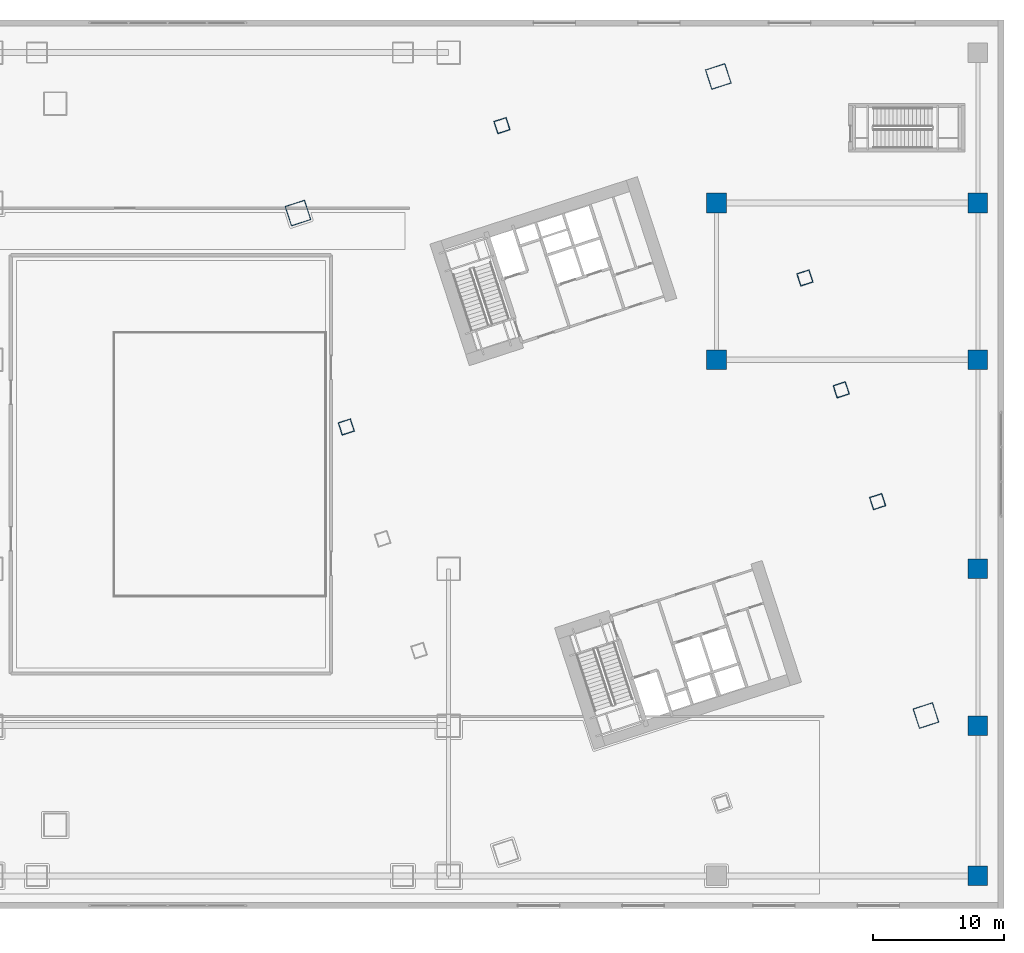
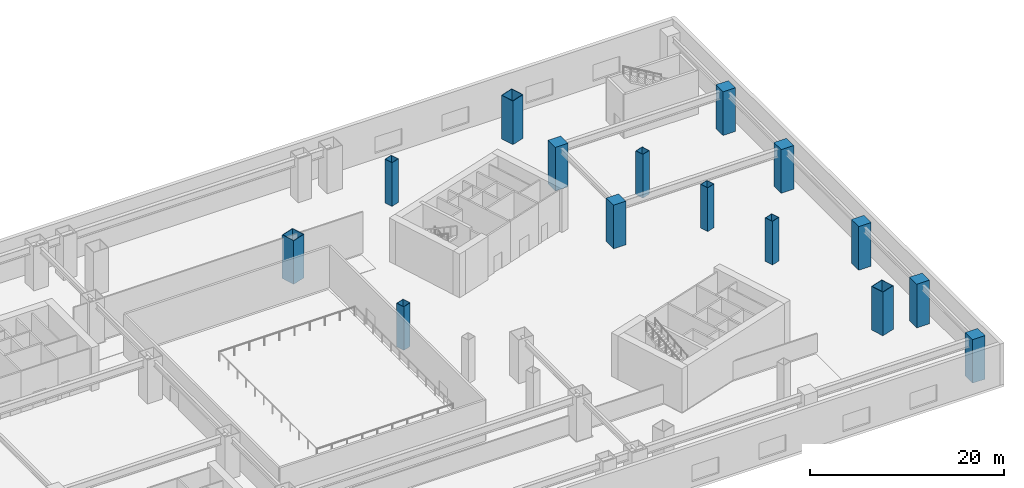
# One storey, part 2 of 35: 15 columns.
"""IFC4 building model written with IfcOpenShell, lengths in metres."""

from ifc_helpers import new_model, si_unit, direction, frame, origin, origin_2d, place, context, subcontext, project, spatial, rectangle, hollow_rectangle, extrude, material, material_profile, profile_set, type_object, element, save


model = new_model("IFC4")

# Units and contexts
model_context = context("Model", 3, precision=1e-05, world=origin(), true_north=direction((0.0, 1.0)))
body_context = subcontext(model_context, "Body", "Model", "MODEL_VIEW")
ifc_project = project(units=[si_unit("LENGTHUNIT", "METRE"), si_unit("AREAUNIT", "SQUARE_METRE"), si_unit("VOLUMEUNIT", "CUBIC_METRE"), si_unit("PLANEANGLEUNIT", "RADIAN"), si_unit("MASSUNIT", "GRAM", prefix="KILO")], contexts=[model_context])

# Site, building, storey
site_placement = place(None, origin())
site = spatial("IfcSite", under=ifc_project, at=site_placement, CompositionType="ELEMENT")
building_placement = place(site_placement, origin())
building = spatial("IfcBuilding", under=site, at=building_placement, Name="Qiaolan Cultural Towers", CompositionType="ELEMENT")
storey_placement = place(building_placement, frame((0.0, 0.0, 6.0)))
storey = spatial("IfcBuildingStorey", under=building, at=storey_placement, Name="L01", CompositionType="ELEMENT", Elevation=6.0)

# Columns
ifc_material_1 = material(Name="Steel Q355B", Category="steel")
ifc_material_profile_1 = material_profile(ifc_material_1, hollow_rectangle(XDim=1.0, YDim=1.0, WallThickness=0.035888671875, at=origin_2d()), Name="BOX1000x1000x36")
ifc_profile_set_1 = profile_set([ifc_material_profile_1], Name="Steel Q355B")
column_type_1 = type_object("IfcColumnType", Name="COL-BOX1000x1000x36", PredefinedType="COLUMN", material=ifc_profile_set_1)
for number, where, z_axis, x_axis, name in (
    (1, (69.671875, 36.858154296875, 0.0), (0.0, 0.0, 1.0), (0.951056516295, 0.309016994375, 0.0), "L01 T2 Column PC-W3"),
    (2, (110.328125, 31.141845703125, 0.0), (0.0, 0.0, 1.0), (0.951056516295, 0.309016994375, 0.0), "L01 T2 Column PC-E1"),
    (3, (107.546875, 39.701416015625, 0.0), (0.0, 0.0, 1.0), (0.951056516295, 0.309016994375, 0.0), "L01 T2 Column PC-E2"),
    (4, (104.765869140625, 48.260986328125, 0.0), (0.0, 0.0, 1.0), (0.951056516295, 0.309016994375, 0.0), "L01 T2 Column PC-E3"),
    (5, (81.579345703125, 59.916259765625, 0.0), (0.0, 0.0, 1.0), (0.951056516295, 0.309016994375, 0.0), "L01 T2 Column PC-N0"),
):
    element("IfcColumn", number, at=place(storey_placement, frame(where, z_axis=z_axis, x_axis=x_axis)), inside=storey, type_object=column_type_1, Name=name, PredefinedType="COLUMN", context=body_context, shape_type="SweptSolid", body=[
        extrude(hollow_rectangle(XDim=1.0, YDim=1.0, WallThickness=0.035888671875, at=origin_2d()), origin(), (0.0, 0.0, 1.0), 5.5009765625),
    ])
ifc_material_2 = material(Name="Steel Q420GJB", Category="steel")
ifc_material_profile_2 = material_profile(ifc_material_2, hollow_rectangle(XDim=1.60009765625, YDim=1.60009765625, WallThickness=0.054931640625, at=origin_2d()), Name="BOX1600x1600x55")
ifc_profile_set_2 = profile_set([ifc_material_profile_2], Name="Steel Q420GJB")
column_type_2 = type_object("IfcColumnType", Name="COL-BOX1600x1600x55", PredefinedType="COLUMN", material=ifc_profile_set_2)
for number, where, z_axis, x_axis, name in (
    (6, (114.027099609375, 14.77392578125, 0.0), (0.0, 0.0, 1.0), (0.951056516295, 0.309016994375, 0.0), "L01 T2 Column MC-SE"),
    (7, (98.137451171875, 63.67724609375, 0.0), (0.0, 0.0, 1.0), (0.951056516295, 0.309016994375, 0.0), "L01 T2 Column MC-NE"),
    (8, (65.972900390625, 53.22607421875, 0.0), (0.0, 0.0, 1.0), (0.951056516295, 0.309016994375, 0.0), "L01 T2 Column MC-NW"),
):
    element("IfcColumn", number, at=place(storey_placement, frame(where, z_axis=z_axis, x_axis=x_axis)), inside=storey, type_object=column_type_2, Name=name, PredefinedType="COLUMN", context=body_context, shape_type="SweptSolid", body=[
        extrude(hollow_rectangle(XDim=1.60009765625, YDim=1.60009765625, WallThickness=0.054931640625, at=origin_2d()), origin(), (0.0, 0.0, 1.0), 5.5009765625),
    ])
ifc_material_3 = material(Name="Concrete C60", Category="concrete")
ifc_material_profile_3 = material_profile(ifc_material_3, rectangle(XDim=1.5, YDim=1.5, at=origin_2d()), Name="RC1500x1500")
ifc_profile_set_3 = profile_set([ifc_material_profile_3], Name="Concrete C60")
column_type_3 = type_object("IfcColumnType", Name="COL-RC1500x1500", PredefinedType="COLUMN", material=ifc_profile_set_3)
for number, where, z_axis, x_axis, name in (
    (9, (98.0, 42.0, 0.0), (0.0, 0.0, 1.0), (1.0, 0.0, 0.0), "L01 Podium Column PC-98-42"),
    (10, (98.0, 54.0, 0.0), (0.0, 0.0, 1.0), (1.0, 0.0, 0.0), "L01 Podium Column PC-98-54"),
    (11, (118.0, 2.5, 0.0), (0.0, 0.0, 1.0), (1.0, 0.0, 0.0), "L01 Podium Column PC-118-2"),
    (12, (118.0, 14.0, 0.0), (0.0, 0.0, 1.0), (1.0, 0.0, 0.0), "L01 Podium Column PC-118-14"),
    (13, (118.0, 26.0, 0.0), (0.0, 0.0, 1.0), (1.0, 0.0, 0.0), "L01 Podium Column PC-118-26"),
    (14, (118.0, 42.0, 0.0), (0.0, 0.0, 1.0), (1.0, 0.0, 0.0), "L01 Podium Column PC-118-42"),
    (15, (118.0, 54.0, 0.0), (0.0, 0.0, 1.0), (1.0, 0.0, 0.0), "L01 Podium Column PC-118-54"),
):
    element("IfcColumn", number, at=place(storey_placement, frame(where, z_axis=z_axis, x_axis=x_axis)), inside=storey, type_object=column_type_3, Name=name, PredefinedType="COLUMN", context=body_context, shape_type="SweptSolid", body=[
        extrude(rectangle(XDim=1.5, YDim=1.5, at=origin_2d()), origin(), (0.0, 0.0, 1.0), 5.5009765625),
    ])

save(model, "model.ifc")
